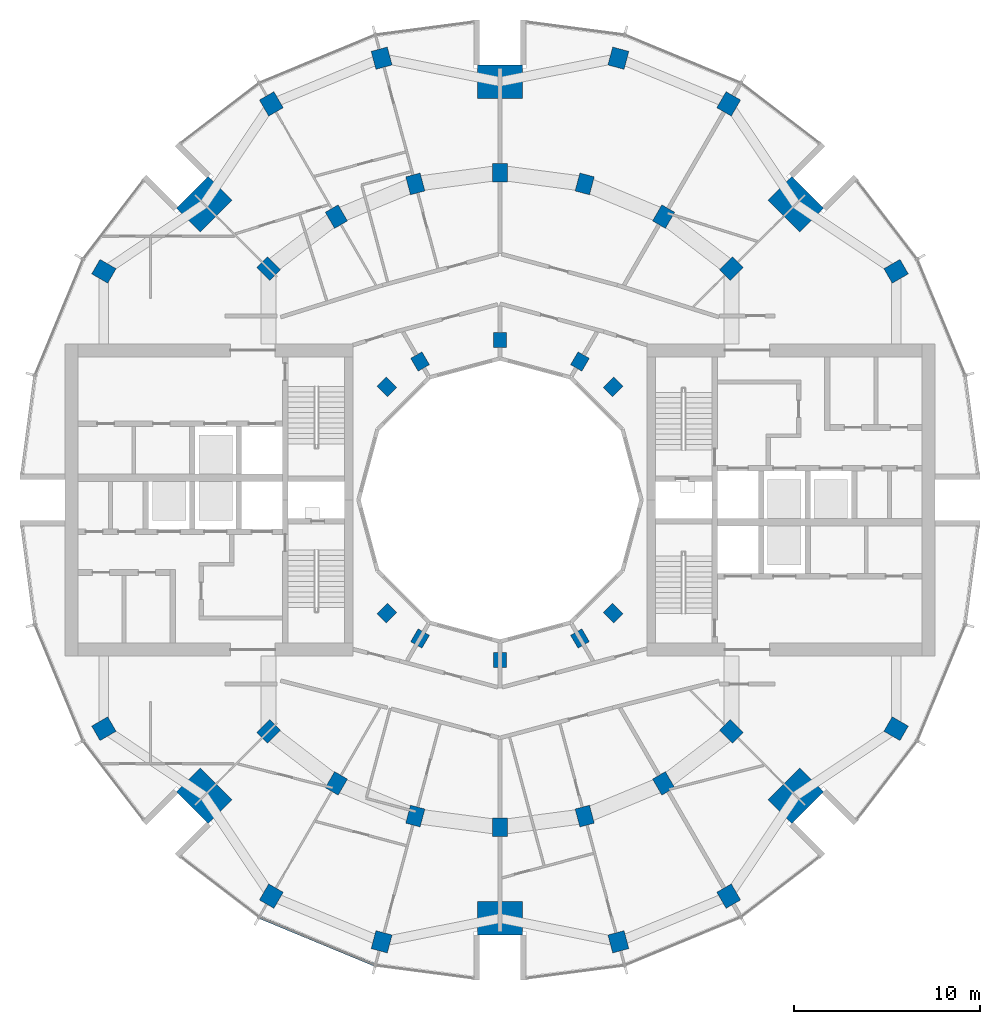
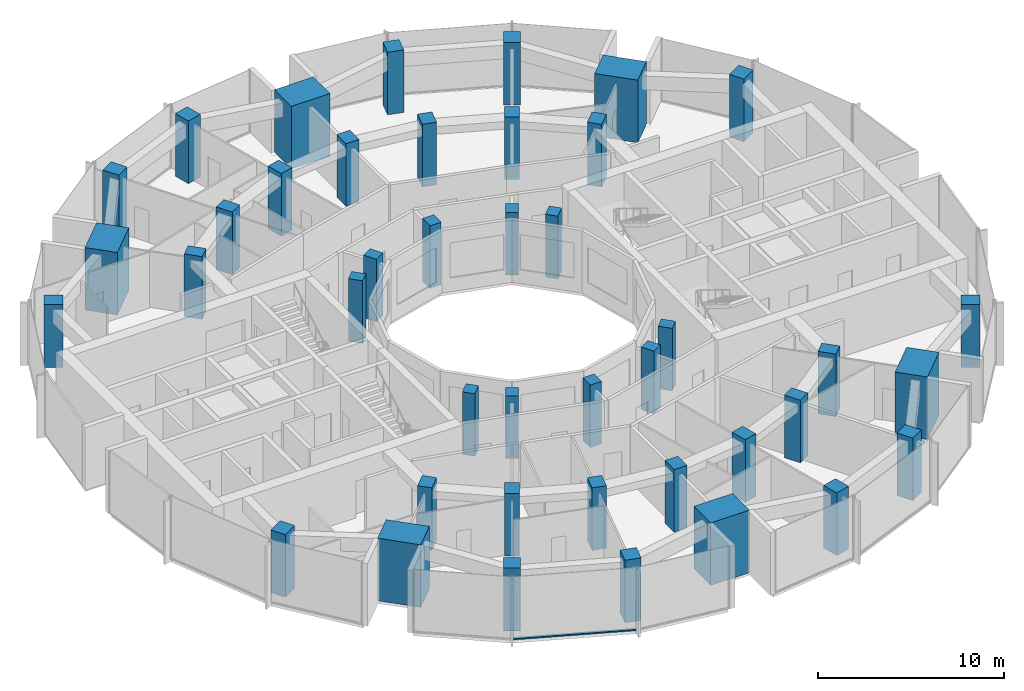
# One storey, part 1 of 15: 42 columns, 1 member, 1 element without a shape of its own.
"""IFC4 building model written with IfcOpenShell, lengths in metres."""

from ifc_helpers import new_model, si_unit, direction, frame, origin, origin_2d, place, context, subcontext, project, spatial, rectangle, extrude, material, layer, layer_set, material_profile, profile_set, type_object, element, aggregate, save


model = new_model("IFC4")

# Units and contexts
model_context = context("Model", 3, precision=1e-05, world=origin(), true_north=direction((0.0, 1.0)))
body_context = subcontext(model_context, "Body", "Model", "MODEL_VIEW")
ifc_project = project(units=[si_unit("LENGTHUNIT", "METRE"), si_unit("AREAUNIT", "SQUARE_METRE"), si_unit("VOLUMEUNIT", "CUBIC_METRE"), si_unit("PLANEANGLEUNIT", "RADIAN"), si_unit("MASSUNIT", "GRAM", prefix="KILO")], contexts=[model_context])

# Site, building, storey
site_placement = place(None, origin())
site = spatial("IfcSite", under=ifc_project, at=site_placement, CompositionType="ELEMENT")
building_placement = place(site_placement, origin())
building = spatial("IfcBuilding", under=site, at=building_placement, Name="Torre Brocal", CompositionType="ELEMENT")
storey_placement = place(building_placement, frame((0.0, 0.0, 165.89990234375)))
storey = spatial("IfcBuildingStorey", under=building, at=storey_placement, Name="L38", CompositionType="ELEMENT", Elevation=165.89990234375)

# Columns
ifc_material_1 = material(Name="Concrete C70", Category="concrete")
ifc_material_profile_1 = material_profile(ifc_material_1, rectangle(XDim=1.0, YDim=0.800048828125, at=origin_2d()), Name="RC 1000X800")
ifc_profile_set_1 = profile_set([ifc_material_profile_1], Name="Concrete C70")
column_type_1 = type_object("IfcColumnType", Name="RC COLUMN 1000X800 C70", PredefinedType="COLUMN", material=ifc_profile_set_1)
for number, where, z_axis, x_axis, name in (
    (1, (92.445068359375, 87.445068359375, 0.0), (0.0, 0.0, 1.0), (0.707106781187, 0.707106781187, 0.0), "Column C-M03"),
    (2, (88.800048828125, 90.241943359375, 0.0), (0.0, 0.0, 1.0), (0.5, 0.866025403784, 0.0), "Column C-M04"),
    (3, (84.55517578125, 92.000244140625, 0.0), (0.0, 0.0, 1.0), (0.258819045103, 0.965925826289, 0.0), "Column C-M05"),
    (4, (80.0, 92.60009765625, 0.0), (0.0, 0.0, 1.0), (0.0, 1.0, 0.0), "Column C-M06"),
    (5, (75.44482421875, 92.000244140625, 0.0), (0.0, 0.0, 1.0), (-0.258819045103, 0.965925826289, 0.0), "Column C-M07"),
    (6, (71.199951171875, 90.241943359375, 0.0), (0.0, 0.0, 1.0), (-0.5, 0.866025403784, 0.0), "Column C-M08"),
    (7, (67.554931640625, 87.445068359375, 0.0), (0.0, 0.0, 1.0), (-0.707106781187, 0.707106781187, 0.0), "Column C-M09"),
    (8, (67.554931640625, 62.554931640625, 0.0), (0.0, 0.0, 1.0), (-0.707106781187, -0.707106781187, 0.0), "Column C-M15"),
    (9, (71.199951171875, 59.758056640625, 0.0), (0.0, 0.0, 1.0), (-0.5, -0.866025403784, 0.0), "Column C-M16"),
    (10, (75.44482421875, 57.999755859375, 0.0), (0.0, 0.0, 1.0), (-0.258819045103, -0.965925826289, 0.0), "Column C-M17"),
    (11, (80.0, 57.39990234375, 0.0), (0.0, 0.0, 1.0), (0.0, -1.0, 0.0), "Column C-M18"),
    (12, (84.55517578125, 57.999755859375, 0.0), (0.0, 0.0, 1.0), (0.258819045103, -0.965925826289, 0.0), "Column C-M19"),
    (13, (88.800048828125, 59.758056640625, 0.0), (0.0, 0.0, 1.0), (0.5, -0.866025403784, 0.0), "Column C-M20"),
    (14, (92.445068359375, 62.554931640625, 0.0), (0.0, 0.0, 1.0), (0.707106781187, -0.707106781187, 0.0), "Column C-M21"),
):
    element("IfcColumn", number, at=place(storey_placement, frame(where, z_axis=z_axis, x_axis=x_axis)), inside=storey, type_object=column_type_1, Name=name, PredefinedType="COLUMN", context=body_context, shape_type="SweptSolid", body=[
        extrude(rectangle(XDim=1.0, YDim=0.800048828125, at=origin_2d()), origin(), (0.0, 0.0, 1.0), 4.10009765625),
    ])
ifc_material_2 = material(Name="Concrete C70", Category="concrete")
ifc_material_profile_2 = material_profile(ifc_material_2, rectangle(XDim=1.0, YDim=0.89990234375, at=origin_2d()), Name="RC 1000X900")
ifc_profile_set_2 = profile_set([ifc_material_profile_2], Name="Concrete C70")
column_type_2 = type_object("IfcColumnType", Name="RC COLUMN 1000X900 C70", PredefinedType="COLUMN", material=ifc_profile_set_2)
for number, where, z_axis, x_axis, name in (
    (15, (101.30419921875, 87.300048828125, 0.0), (0.0, 0.0, 1.0), (0.866025403784, 0.5, 0.0), "Column C-O02"),
    (16, (92.300048828125, 96.30419921875, 0.0), (0.0, 0.0, 1.0), (0.5, 0.866025403784, 0.0), "Column C-O04"),
    (17, (86.366943359375, 98.76171875, 0.0), (0.0, 0.0, 1.0), (0.258819045103, 0.965925826289, 0.0), "Column C-O05"),
    (18, (73.633056640625, 98.76171875, 0.0), (0.0, 0.0, 1.0), (-0.258819045103, 0.965925826289, 0.0), "Column C-O07"),
    (19, (67.699951171875, 96.30419921875, 0.0), (0.0, 0.0, 1.0), (-0.5, 0.866025403784, 0.0), "Column C-O08"),
    (20, (58.69580078125, 87.300048828125, 0.0), (0.0, 0.0, 1.0), (-0.866025403784, 0.5, 0.0), "Column C-O10"),
    (21, (58.69580078125, 62.699951171875, 0.0), (0.0, 0.0, 1.0), (-0.866025403784, -0.5, 0.0), "Column C-O14"),
    (22, (67.699951171875, 53.69580078125, 0.0), (0.0, 0.0, 1.0), (-0.5, -0.866025403784, 0.0), "Column C-O16"),
    (23, (73.633056640625, 51.23828125, 0.0), (0.0, 0.0, 1.0), (-0.258819045103, -0.965925826289, 0.0), "Column C-O17"),
    (24, (86.366943359375, 51.23828125, 0.0), (0.0, 0.0, 1.0), (0.258819045103, -0.965925826289, 0.0), "Column C-O19"),
    (25, (92.300048828125, 53.69580078125, 0.0), (0.0, 0.0, 1.0), (0.5, -0.866025403784, 0.0), "Column C-O20"),
    (26, (101.30419921875, 62.699951171875, 0.0), (0.0, 0.0, 1.0), (0.866025403784, -0.5, 0.0), "Column C-O22"),
):
    element("IfcColumn", number, at=place(storey_placement, frame(where, z_axis=z_axis, x_axis=x_axis)), inside=storey, type_object=column_type_2, Name=name, PredefinedType="COLUMN", context=body_context, shape_type="SweptSolid", body=[
        extrude(rectangle(XDim=1.0, YDim=0.89990234375, at=origin_2d()), origin(), (0.0, 0.0, 1.0), 4.10009765625),
    ])
ifc_material_3 = material(Name="Concrete C70", Category="concrete")
ifc_material_profile_3 = material_profile(ifc_material_3, rectangle(XDim=1.800048828125, YDim=2.39990234375, at=origin_2d()), Name="RC 1800X2400")
ifc_profile_set_3 = profile_set([ifc_material_profile_3], Name="Concrete C70")
column_type_3 = type_object("IfcColumnType", Name="RC COLUMN 1800X2400 C70", PredefinedType="COLUMN", material=ifc_profile_set_3)
for number, where, z_axis, x_axis, name in (
    (27, (95.909912109375, 90.909912109375, 0.0), (0.0, 0.0, 1.0), (0.707106781187, 0.707106781187, 0.0), "Column MC-1"),
    (28, (80.0, 97.5, 0.0), (0.0, 0.0, 1.0), (0.0, 1.0, 0.0), "Column MC-2"),
    (29, (64.090087890625, 90.909912109375, 0.0), (0.0, 0.0, 1.0), (-0.707106781187, 0.707106781187, 0.0), "Column MC-3"),
    (30, (64.090087890625, 59.090087890625, 0.0), (0.0, 0.0, 1.0), (-0.707106781187, -0.707106781187, 0.0), "Column MC-5"),
    (31, (80.0, 52.5, 0.0), (0.0, 0.0, 1.0), (0.0, -1.0, 0.0), "Column MC-6"),
    (32, (95.909912109375, 59.090087890625, 0.0), (0.0, 0.0, 1.0), (0.707106781187, -0.707106781187, 0.0), "Column MC-7"),
):
    element("IfcColumn", number, at=place(storey_placement, frame(where, z_axis=z_axis, x_axis=x_axis)), inside=storey, type_object=column_type_3, Name=name, PredefinedType="COLUMN", context=body_context, shape_type="SweptSolid", body=[
        extrude(rectangle(XDim=1.800048828125, YDim=2.39990234375, at=origin_2d()), origin(), (0.0, 0.0, 1.0), 4.10009765625),
    ])
ifc_material_4 = material(Name="Concrete C70", Category="concrete")
ifc_material_profile_4 = material_profile(ifc_material_4, rectangle(XDim=0.800048828125, YDim=0.699951171875, at=origin_2d()), Name="RC 800X700")
ifc_profile_set_4 = profile_set([ifc_material_profile_4], Name="Concrete C70")
column_type_4 = type_object("IfcColumnType", Name="RC COLUMN 800X700 C70", PredefinedType="COLUMN", material=ifc_profile_set_4)
for number, where, z_axis, x_axis, name in (
    (33, (86.0810546875, 81.0810546875, 0.0), (0.0, 0.0, 1.0), (0.707106781187, 0.707106781187, 0.0), "Column C-I03"),
    (34, (84.300048828125, 82.44775390625, 0.0), (0.0, 0.0, 1.0), (0.5, 0.866025403784, 0.0), "Column C-I04"),
    (35, (80.0, 83.60009765625, 0.0), (0.0, 0.0, 1.0), (0.0, 1.0, 0.0), "Column C-I06"),
    (36, (75.699951171875, 82.44775390625, 0.0), (0.0, 0.0, 1.0), (-0.5, 0.866025403784, 0.0), "Column C-I08"),
    (37, (73.9189453125, 81.0810546875, 0.0), (0.0, 0.0, 1.0), (-0.707106781187, 0.707106781187, 0.0), "Column C-I09"),
    (38, (73.9189453125, 68.9189453125, 0.0), (0.0, 0.0, 1.0), (-0.707106781187, -0.707106781187, 0.0), "Column C-I15"),
    (39, (75.699951171875, 67.55224609375, 0.0), (0.0, 0.0, 1.0), (-0.5, -0.866025403784, 0.0), "Column C-I16"),
    (40, (80.0, 66.39990234375, 0.0), (0.0, 0.0, 1.0), (0.0, -1.0, 0.0), "Column C-I18"),
    (41, (84.300048828125, 67.55224609375, 0.0), (0.0, 0.0, 1.0), (0.5, -0.866025403784, 0.0), "Column C-I20"),
    (42, (86.0810546875, 68.9189453125, 0.0), (0.0, 0.0, 1.0), (0.707106781187, -0.707106781187, 0.0), "Column C-I21"),
):
    element("IfcColumn", number, at=place(storey_placement, frame(where, z_axis=z_axis, x_axis=x_axis)), inside=storey, type_object=column_type_4, Name=name, PredefinedType="COLUMN", context=body_context, shape_type="SweptSolid", body=[
        extrude(rectangle(XDim=0.800048828125, YDim=0.699951171875, at=origin_2d()), origin(), (0.0, 0.0, 1.0), 4.10009765625),
    ])

# Curtain wall, member
ifc_material_5 = material(Name="Aluminium and glass", Category="aluminium")
ifc_layer = layer(ifc_material_5, 0.199951171875)
ifc_layer_set = layer_set([ifc_layer], Name="Aluminium and glass")
curtain_wall_type = type_object("IfcCurtainWallType", Name="CW-1 CURTAIN WALL 4100 HIGH", PredefinedType="NOTDEFINED", material=ifc_layer_set)
curtain_wall_placement = place(storey_placement, origin())
curtain_wall = element("IfcCurtainWall", 43, at=curtain_wall_placement, inside=storey, type_object=curtain_wall_type, Name="CW-1 RUN 17", PredefinedType="NOTDEFINED")
ifc_material_6 = material(Name="Aluminium, dark anodised", Category="aluminium")
ifc_material_profile_5 = material_profile(ifc_material_6, rectangle(XDim=0.159912109375, YDim=0.080078125, at=origin_2d()), Name="CW-1 TRANSOM 160X80")
ifc_profile_set_5 = profile_set([ifc_material_profile_5], Name="Aluminium, dark anodised")
member_type = type_object("IfcMemberType", Name="CW-1 TRANSOM 160X80", PredefinedType="USERDEFINED", material=ifc_profile_set_5)
member_placement = place(storey_placement, frame((67.10595703125, 52.547607421875, 0.0400390625), z_axis=(0.923887344364, -0.38266457234, 0.0), x_axis=(0.38266457234, 0.923887344364, 0.0)))
member = element("IfcMember", 44, at=member_placement, type_object=member_type, Name="CW1-4 transom 1.1", ObjectType="TRANSOM", PredefinedType="USERDEFINED", context=body_context, shape_type="SweptSolid", body=[
    extrude(rectangle(XDim=0.159912109375, YDim=0.080078125, at=origin_2d()), origin(), (0.0, 0.0, 1.0), 6.640869140625),
])
aggregate(curtain_wall, [member])

save(model, "model.ifc")
